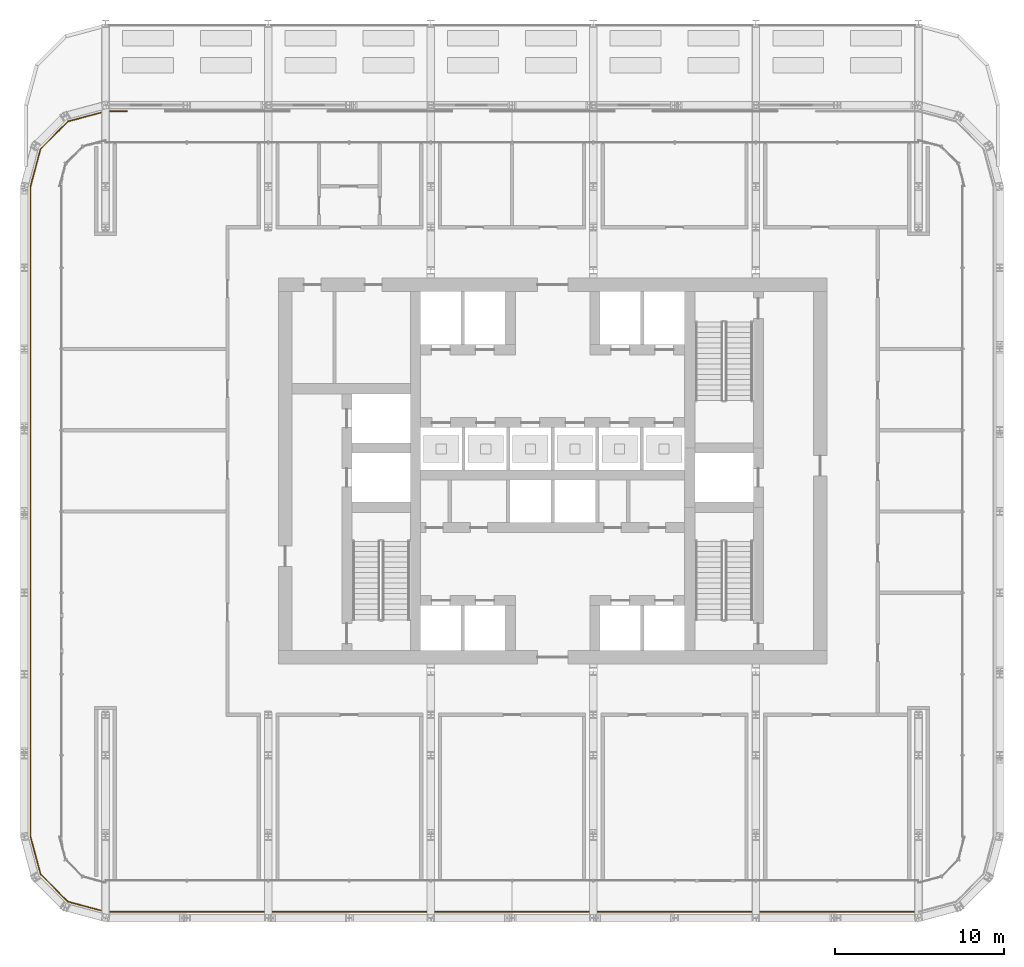
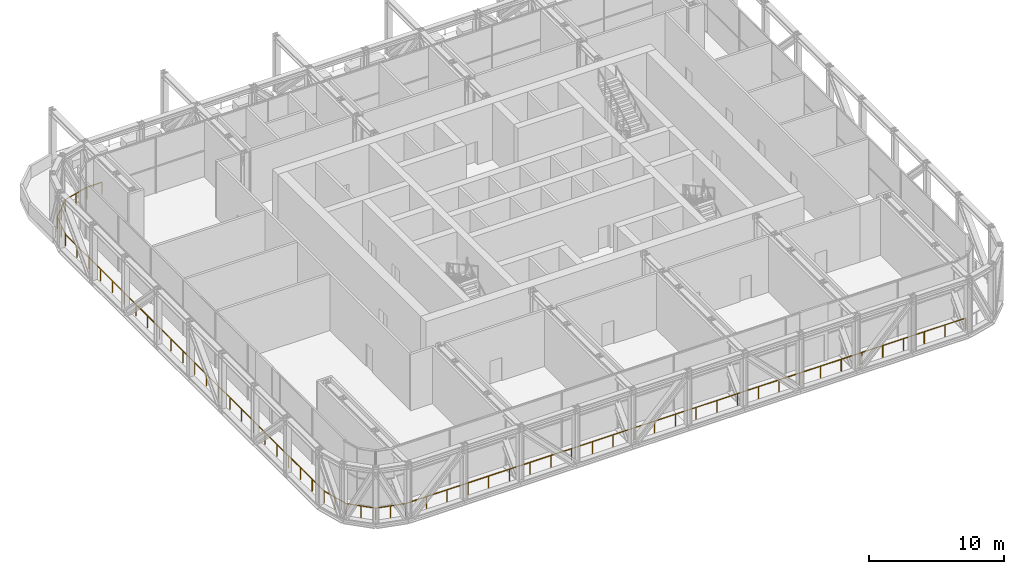
# One storey, part 22 of 27: 1 railing.
"""IFC4 building model written with IfcOpenShell, lengths in metres."""

from ifc_helpers import new_model, si_unit, direction, frame, origin, origin_2d, place, context, subcontext, project, spatial, circle, extrude, material, type_object, element, save


model = new_model("IFC4")

# Units and contexts
model_context = context("Model", 3, precision=1e-05, world=origin(), true_north=direction((0.0, 1.0)))
body_context = subcontext(model_context, "Body", "Model", "MODEL_VIEW")
ifc_project = project(units=[si_unit("LENGTHUNIT", "METRE"), si_unit("AREAUNIT", "SQUARE_METRE"), si_unit("VOLUMEUNIT", "CUBIC_METRE"), si_unit("PLANEANGLEUNIT", "RADIAN"), si_unit("MASSUNIT", "GRAM", prefix="KILO")], contexts=[model_context])

# Site, building, storey
site_placement = place(None, origin())
site = spatial("IfcSite", under=ifc_project, at=site_placement, CompositionType="ELEMENT")
building_placement = place(site_placement, origin())
building = spatial("IfcBuilding", under=site, at=building_placement, Name="Madar Terraces", CompositionType="ELEMENT")
storey_placement = place(building_placement, frame((0.0, 0.0, 143.60009765625)))
storey = spatial("IfcBuildingStorey", under=building, at=storey_placement, Name="L37", CompositionType="ELEMENT", Elevation=143.60009765625)

# Railing
ifc_material = material(Name="Glass, safety glazing, with stainless steel posts", Category="steel")
railing_type = type_object("IfcRailingType", Name="Balcony glass guard 1100", PredefinedType="GUARDRAIL", material=ifc_material)
railing_placement = place(storey_placement, frame((6.05810546875, 47.634033203125, 0.0)))
element("IfcRailing", 1, at=railing_placement, inside=storey, type_object=railing_type, Name="Gallery guard", PredefinedType="GUARDRAIL", context=body_context, shape_type="SweptSolid", body=[
    extrude(circle(Radius=0.02392578125, at=origin_2d()), frame((0.0, 0.0, 1.076171875), z_axis=(-1.0, 0.0, 0.0), x_axis=(0.0, -1.0, 0.0)), (0.0, 0.0, 1.0), 1.258056640625),
    extrude(circle(Radius=0.02392578125, at=origin_2d()), frame((-1.258056640625, 0.0, 1.076171875), z_axis=(-0.965932384035, -0.258794570021, 0.0), x_axis=(0.258794570021, -0.965932384035, 0.0)), (0.0, 0.0, 1.0), 2.295166015625),
    extrude(circle(Radius=0.02392578125, at=origin_2d()), frame((-3.47509765625, -0.593994140625, 1.076171875), z_axis=(-0.707106781187, -0.707106781187, 0.0), x_axis=(0.707106781187, -0.707106781187, 0.0)), (0.0, 0.0, 1.0), 2.29541015625),
    extrude(circle(Radius=0.02392578125, at=origin_2d()), frame((-5.09814453125, -2.217041015625, 1.076171875), z_axis=(-0.258794570021, -0.965932384035, 0.0), x_axis=(0.965932384035, -0.258794570021, 0.0)), (0.0, 0.0, 1.0), 2.295166015625),
    extrude(circle(Radius=0.02392578125, at=origin_2d()), frame((-5.692138671875, -4.43408203125, 1.076171875), z_axis=(0.0, -1.0, 0.0), x_axis=(1.0, 0.0, 0.0)), (0.0, 0.0, 1.0), 38.39990234375),
    extrude(circle(Radius=0.02392578125, at=origin_2d()), frame((-5.692138671875, -42.833984375, 1.076171875), z_axis=(0.258794570021, -0.965932384035, 0.0), x_axis=(0.965932384035, 0.258794570021, 0.0)), (0.0, 0.0, 1.0), 2.295166015625),
    extrude(circle(Radius=0.02392578125, at=origin_2d()), frame((-5.09814453125, -45.051025390625, 1.076171875), z_axis=(0.707106781187, -0.707106781187, 0.0), x_axis=(0.707106781187, 0.707106781187, 0.0)), (0.0, 0.0, 1.0), 2.29541015625),
    extrude(circle(Radius=0.02392578125, at=origin_2d()), frame((-3.47509765625, -46.674072265625, 1.076171875), z_axis=(0.965932384035, -0.258794570021, 0.0), x_axis=(0.258794570021, 0.965932384035, 0.0)), (0.0, 0.0, 1.0), 2.295166015625),
    extrude(circle(Radius=0.02392578125, at=origin_2d()), frame((-1.258056640625, -47.26806640625, 1.076171875), z_axis=(1.0, 0.0, 0.0), x_axis=(0.0, 1.0, 0.0)), (0.0, 0.0, 1.0), 48.0),
    extrude(circle(Radius=0.02099609375, at=origin_2d()), origin(), (0.0, 0.0, 1.0), 1.052001953125),
    extrude(circle(Radius=0.02099609375, at=origin_2d()), frame((-1.258056640625, 0.0, 0.0)), (0.0, 0.0, 1.0), 1.052001953125),
    extrude(circle(Radius=0.02099609375, at=origin_2d()), frame((-2.36669921875, -0.296875, 0.0)), (0.0, 0.0, 1.0), 1.052001953125),
    extrude(circle(Radius=0.02099609375, at=origin_2d()), frame((-3.47509765625, -0.593994140625, 0.0)), (0.0, 0.0, 1.0), 1.052001953125),
    extrude(circle(Radius=0.02099609375, at=origin_2d()), frame((-4.28662109375, -1.405517578125, 0.0)), (0.0, 0.0, 1.0), 1.052001953125),
    extrude(circle(Radius=0.02099609375, at=origin_2d()), frame((-5.09814453125, -2.217041015625, 0.0)), (0.0, 0.0, 1.0), 1.052001953125),
    extrude(circle(Radius=0.02099609375, at=origin_2d()), frame((-5.39501953125, -3.32568359375, 0.0)), (0.0, 0.0, 1.0), 1.052001953125),
    extrude(circle(Radius=0.02099609375, at=origin_2d()), frame((-5.692138671875, -4.43408203125, 0.0)), (0.0, 0.0, 1.0), 1.052001953125),
    extrude(circle(Radius=0.02099609375, at=origin_2d()), frame((-5.692138671875, -6.179443359375, 0.0)), (0.0, 0.0, 1.0), 1.052001953125),
    extrude(circle(Radius=0.02099609375, at=origin_2d()), frame((-5.692138671875, -7.925048828125, 0.0)), (0.0, 0.0, 1.0), 1.052001953125),
    extrude(circle(Radius=0.02099609375, at=origin_2d()), frame((-5.692138671875, -9.67041015625, 0.0)), (0.0, 0.0, 1.0), 1.052001953125),
    extrude(circle(Radius=0.02099609375, at=origin_2d()), frame((-5.692138671875, -11.415771484375, 0.0)), (0.0, 0.0, 1.0), 1.052001953125),
    extrude(circle(Radius=0.02099609375, at=origin_2d()), frame((-5.692138671875, -13.161376953125, 0.0)), (0.0, 0.0, 1.0), 1.052001953125),
    extrude(circle(Radius=0.02099609375, at=origin_2d()), frame((-5.692138671875, -14.90673828125, 0.0)), (0.0, 0.0, 1.0), 1.052001953125),
    extrude(circle(Radius=0.02099609375, at=origin_2d()), frame((-5.692138671875, -16.65234375, 0.0)), (0.0, 0.0, 1.0), 1.052001953125),
    extrude(circle(Radius=0.02099609375, at=origin_2d()), frame((-5.692138671875, -18.397705078125, 0.0)), (0.0, 0.0, 1.0), 1.052001953125),
    extrude(circle(Radius=0.02099609375, at=origin_2d()), frame((-5.692138671875, -20.14306640625, 0.0)), (0.0, 0.0, 1.0), 1.052001953125),
    extrude(circle(Radius=0.02099609375, at=origin_2d()), frame((-5.692138671875, -21.888671875, 0.0)), (0.0, 0.0, 1.0), 1.052001953125),
    extrude(circle(Radius=0.02099609375, at=origin_2d()), frame((-5.692138671875, -23.634033203125, 0.0)), (0.0, 0.0, 1.0), 1.052001953125),
    extrude(circle(Radius=0.02099609375, at=origin_2d()), frame((-5.692138671875, -25.37939453125, 0.0)), (0.0, 0.0, 1.0), 1.052001953125),
    extrude(circle(Radius=0.02099609375, at=origin_2d()), frame((-5.692138671875, -27.125, 0.0)), (0.0, 0.0, 1.0), 1.052001953125),
    extrude(circle(Radius=0.02099609375, at=origin_2d()), frame((-5.692138671875, -28.870361328125, 0.0)), (0.0, 0.0, 1.0), 1.052001953125),
    extrude(circle(Radius=0.02099609375, at=origin_2d()), frame((-5.692138671875, -30.61572265625, 0.0)), (0.0, 0.0, 1.0), 1.052001953125),
    extrude(circle(Radius=0.02099609375, at=origin_2d()), frame((-5.692138671875, -32.361328125, 0.0)), (0.0, 0.0, 1.0), 1.052001953125),
    extrude(circle(Radius=0.02099609375, at=origin_2d()), frame((-5.692138671875, -34.106689453125, 0.0)), (0.0, 0.0, 1.0), 1.052001953125),
    extrude(circle(Radius=0.02099609375, at=origin_2d()), frame((-5.692138671875, -35.852294921875, 0.0)), (0.0, 0.0, 1.0), 1.052001953125),
    extrude(circle(Radius=0.02099609375, at=origin_2d()), frame((-5.692138671875, -37.59765625, 0.0)), (0.0, 0.0, 1.0), 1.052001953125),
    extrude(circle(Radius=0.02099609375, at=origin_2d()), frame((-5.692138671875, -39.343017578125, 0.0)), (0.0, 0.0, 1.0), 1.052001953125),
    extrude(circle(Radius=0.02099609375, at=origin_2d()), frame((-5.692138671875, -41.088623046875, 0.0)), (0.0, 0.0, 1.0), 1.052001953125),
    extrude(circle(Radius=0.02099609375, at=origin_2d()), frame((-5.692138671875, -42.833984375, 0.0)), (0.0, 0.0, 1.0), 1.052001953125),
    extrude(circle(Radius=0.02099609375, at=origin_2d()), frame((-5.39501953125, -43.9423828125, 0.0)), (0.0, 0.0, 1.0), 1.052001953125),
    extrude(circle(Radius=0.02099609375, at=origin_2d()), frame((-5.09814453125, -45.051025390625, 0.0)), (0.0, 0.0, 1.0), 1.052001953125),
    extrude(circle(Radius=0.02099609375, at=origin_2d()), frame((-4.28662109375, -45.862548828125, 0.0)), (0.0, 0.0, 1.0), 1.052001953125),
    extrude(circle(Radius=0.02099609375, at=origin_2d()), frame((-3.47509765625, -46.674072265625, 0.0)), (0.0, 0.0, 1.0), 1.052001953125),
    extrude(circle(Radius=0.02099609375, at=origin_2d()), frame((-2.36669921875, -46.97119140625, 0.0)), (0.0, 0.0, 1.0), 1.052001953125),
    extrude(circle(Radius=0.02099609375, at=origin_2d()), frame((-1.258056640625, -47.26806640625, 0.0)), (0.0, 0.0, 1.0), 1.052001953125),
    extrude(circle(Radius=0.02099609375, at=origin_2d()), frame((0.519775390625, -47.26806640625, 0.0)), (0.0, 0.0, 1.0), 1.052001953125),
    extrude(circle(Radius=0.02099609375, at=origin_2d()), frame((2.297607421875, -47.26806640625, 0.0)), (0.0, 0.0, 1.0), 1.052001953125),
    extrude(circle(Radius=0.02099609375, at=origin_2d()), frame((4.0751953125, -47.26806640625, 0.0)), (0.0, 0.0, 1.0), 1.052001953125),
    extrude(circle(Radius=0.02099609375, at=origin_2d()), frame((5.85302734375, -47.26806640625, 0.0)), (0.0, 0.0, 1.0), 1.052001953125),
    extrude(circle(Radius=0.02099609375, at=origin_2d()), frame((7.630859375, -47.26806640625, 0.0)), (0.0, 0.0, 1.0), 1.052001953125),
    extrude(circle(Radius=0.02099609375, at=origin_2d()), frame((9.40869140625, -47.26806640625, 0.0)), (0.0, 0.0, 1.0), 1.052001953125),
    extrude(circle(Radius=0.02099609375, at=origin_2d()), frame((11.186279296875, -47.26806640625, 0.0)), (0.0, 0.0, 1.0), 1.052001953125),
    extrude(circle(Radius=0.02099609375, at=origin_2d()), frame((12.964111328125, -47.26806640625, 0.0)), (0.0, 0.0, 1.0), 1.052001953125),
    extrude(circle(Radius=0.02099609375, at=origin_2d()), frame((14.741943359375, -47.26806640625, 0.0)), (0.0, 0.0, 1.0), 1.052001953125),
    extrude(circle(Radius=0.02099609375, at=origin_2d()), frame((16.519775390625, -47.26806640625, 0.0)), (0.0, 0.0, 1.0), 1.052001953125),
    extrude(circle(Radius=0.02099609375, at=origin_2d()), frame((18.297607421875, -47.26806640625, 0.0)), (0.0, 0.0, 1.0), 1.052001953125),
    extrude(circle(Radius=0.02099609375, at=origin_2d()), frame((20.0751953125, -47.26806640625, 0.0)), (0.0, 0.0, 1.0), 1.052001953125),
    extrude(circle(Radius=0.02099609375, at=origin_2d()), frame((21.85302734375, -47.26806640625, 0.0)), (0.0, 0.0, 1.0), 1.052001953125),
    extrude(circle(Radius=0.02099609375, at=origin_2d()), frame((23.630859375, -47.26806640625, 0.0)), (0.0, 0.0, 1.0), 1.052001953125),
    extrude(circle(Radius=0.02099609375, at=origin_2d()), frame((25.40869140625, -47.26806640625, 0.0)), (0.0, 0.0, 1.0), 1.052001953125),
    extrude(circle(Radius=0.02099609375, at=origin_2d()), frame((27.186279296875, -47.26806640625, 0.0)), (0.0, 0.0, 1.0), 1.052001953125),
    extrude(circle(Radius=0.02099609375, at=origin_2d()), frame((28.964111328125, -47.26806640625, 0.0)), (0.0, 0.0, 1.0), 1.052001953125),
    extrude(circle(Radius=0.02099609375, at=origin_2d()), frame((30.741943359375, -47.26806640625, 0.0)), (0.0, 0.0, 1.0), 1.052001953125),
    extrude(circle(Radius=0.02099609375, at=origin_2d()), frame((32.519775390625, -47.26806640625, 0.0)), (0.0, 0.0, 1.0), 1.052001953125),
    extrude(circle(Radius=0.02099609375, at=origin_2d()), frame((34.297607421875, -47.26806640625, 0.0)), (0.0, 0.0, 1.0), 1.052001953125),
    extrude(circle(Radius=0.02099609375, at=origin_2d()), frame((36.0751953125, -47.26806640625, 0.0)), (0.0, 0.0, 1.0), 1.052001953125),
    extrude(circle(Radius=0.02099609375, at=origin_2d()), frame((37.85302734375, -47.26806640625, 0.0)), (0.0, 0.0, 1.0), 1.052001953125),
    extrude(circle(Radius=0.02099609375, at=origin_2d()), frame((39.630859375, -47.26806640625, 0.0)), (0.0, 0.0, 1.0), 1.052001953125),
    extrude(circle(Radius=0.02099609375, at=origin_2d()), frame((41.40869140625, -47.26806640625, 0.0)), (0.0, 0.0, 1.0), 1.052001953125),
    extrude(circle(Radius=0.02099609375, at=origin_2d()), frame((43.186279296875, -47.26806640625, 0.0)), (0.0, 0.0, 1.0), 1.052001953125),
    extrude(circle(Radius=0.02099609375, at=origin_2d()), frame((44.964111328125, -47.26806640625, 0.0)), (0.0, 0.0, 1.0), 1.052001953125),
    extrude(circle(Radius=0.02099609375, at=origin_2d()), frame((46.741943359375, -47.26806640625, 0.0)), (0.0, 0.0, 1.0), 1.052001953125),
])

save(model, "model.ifc")
